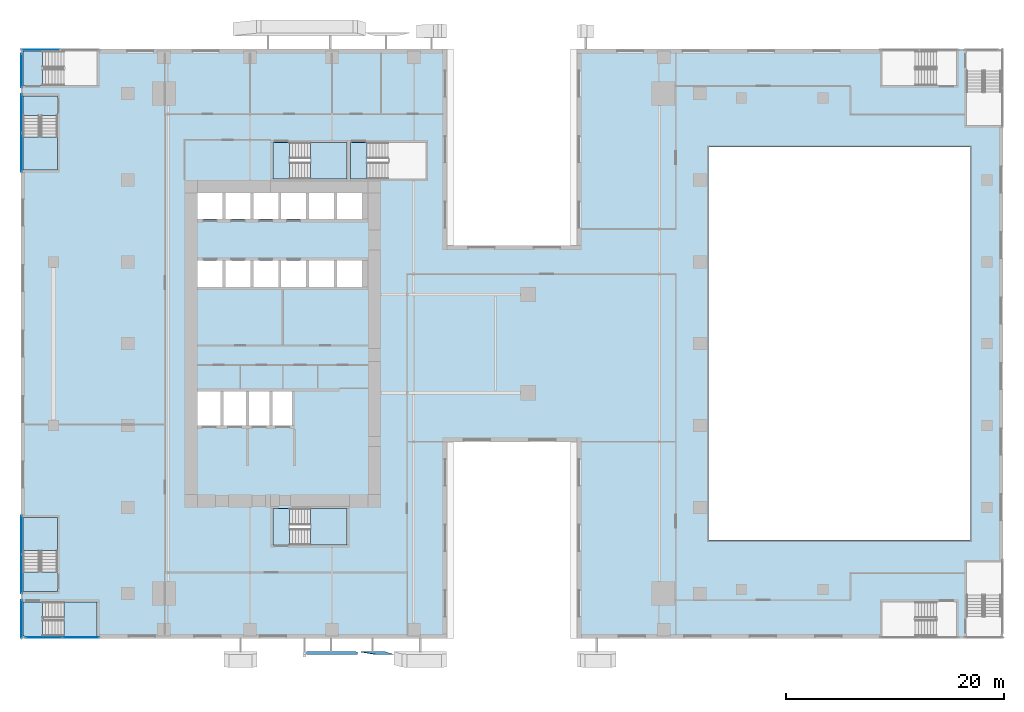
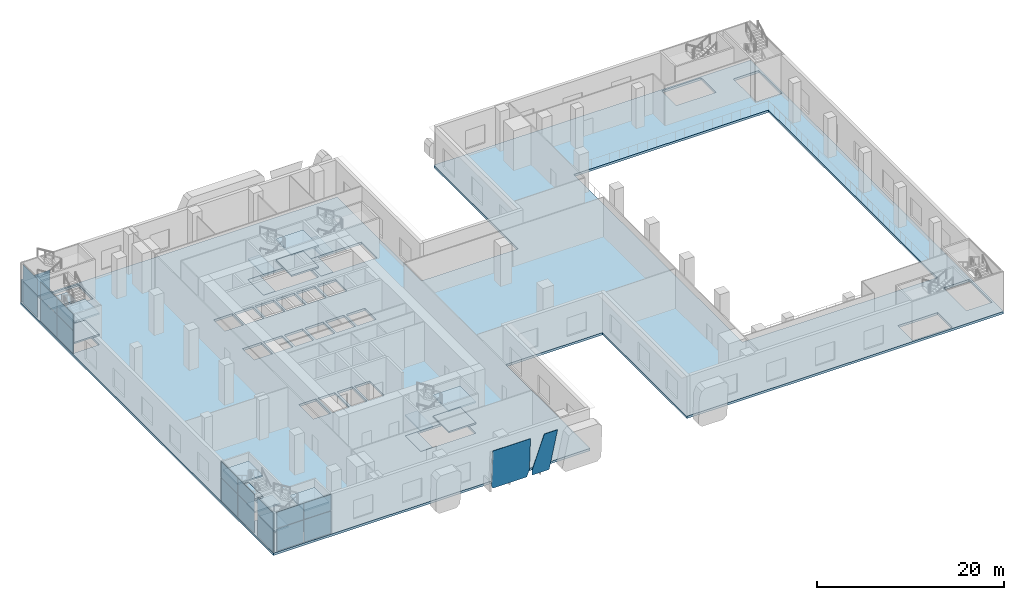
# One storey, part 8 of 23: 21 slabs, 19 plates, 13 elements without a shape of their own.
"""IFC4 building model written with IfcOpenShell, lengths in metres."""

from ifc_helpers import new_model, si_unit, direction, frame, origin, origin_2d, place, context, subcontext, project, spatial, polyline, rectangle, outline, extrude, source, transform, mapped, material, layer, layer_set, type_object, element, aggregate, save


model = new_model("IFC4")

# Units and contexts
model_context = context("Model", 3, precision=1e-05, world=origin(), true_north=direction((0.0, 1.0)))
body_context = subcontext(model_context, "Body", "Model", "MODEL_VIEW")
ifc_project = project(units=[si_unit("LENGTHUNIT", "METRE"), si_unit("AREAUNIT", "SQUARE_METRE"), si_unit("VOLUMEUNIT", "CUBIC_METRE"), si_unit("PLANEANGLEUNIT", "RADIAN"), si_unit("MASSUNIT", "GRAM", prefix="KILO")], contexts=[model_context])

# Site, building, storey
site_placement = place(None, origin())
site = spatial("IfcSite", under=ifc_project, at=site_placement, CompositionType="ELEMENT")
building_placement = place(site_placement, origin())
building = spatial("IfcBuilding", under=site, at=building_placement, Name="Khomas Fold Tower", CompositionType="ELEMENT")
storey_placement = place(building_placement, frame((0.0, 0.0, 13.0)))
storey = spatial("IfcBuildingStorey", under=building, at=storey_placement, Name="L02", CompositionType="ELEMENT", Elevation=13.0)

# Plates
ifc_material_1 = material(Name="Clear laminated glass", Category="glass")
ifc_layer_1 = layer(ifc_material_1, 0.0400390625)
ifc_layer_set_1 = layer_set([ifc_layer_1], Name="Clear laminated glass")
plate_type_1 = type_object("IfcPlateType", Name="SK-Clear laminated glass leaf", PredefinedType="SHEET", material=ifc_layer_set_1)
plate_1_placement = place(storey_placement, frame((24.28173828125, -1.188232421875, 0.0), z_axis=(-4.530982e-06, 0.998629609297, 0.052334533681), x_axis=(-0.99999999999, -4.524772e-06, -2.37127e-07)))
element("IfcPlate", 1, at=plate_1_placement, inside=storey, type_object=plate_type_1, Name="OUTER SKIN glass L02 SG102-1", PredefinedType="SHEET", context=body_context, shape_type="SweptSolid", body=[
    extrude(outline(polyline([(0.0, 0.0), (2.1118164062283227, 0.0), (2.1118164063053295, 0.7040907688939496), (0.7468261718393111, 5.056978540777055), (-0.8923339843938632, 5.056978540777055), (0.0, 0.0)])), origin(), (0.0, 0.0, -1.0), 0.0400390625),
])
plate_2_placement = place(storey_placement, frame((21.830078125, -1.452880859375, 5.050048828125), z_axis=(-9.77769e-06, 0.998629676302, 0.052333254369), x_axis=(6.7e-11, 0.052333254371, -0.99862967635)))
element("IfcPlate", 2, at=plate_2_placement, inside=storey, type_object=plate_type_1, Name="OUTER SKIN glass L02 SG101-3", PredefinedType="SHEET", context=body_context, shape_type="SweptSolid", body=[
    extrude(outline(polyline([(0.0, 0.0), (4.100102351723205, 0.0), (5.05697854076083, 0.3000488284448325), (5.056978540481946, 4.484375000119814), (4.722288105597699, 4.6601562507028635), (-3.1059772951778256e-10, 4.660156249777237), (0.0, 0.0)])), origin(), (0.0, 0.0, -1.0), 0.0400390625),
])

# Slab
ifc_material_2 = material(Name="Concrete C40/50", Category="concrete")
ifc_layer_2 = layer(ifc_material_2, 0.300048828125)
ifc_layer_set_2 = layer_set([ifc_layer_2], Name="Concrete C40/50")
slab_type_1 = type_object("IfcSlabType", Name="RC floor slab 300", PredefinedType="FLOOR", material=ifc_layer_set_2)
shared_shape_1 = source(origin(), body_context, "Body", "SweptSolid", [
    extrude(outline(polyline([(-9.0, 0.0), (30.050048828125, 0.0), (30.050048828125, 18.0), (41.949951171875, 18.0), (41.949951171875, 0.0), (81.0, 0.0), (81.0, 54.0), (41.949951171875, 54.0), (41.949951171875, 36.0), (30.050048828125, 36.0), (30.050048828125, 54.0), (-9.0, 54.0), (-9.0, 0.0)]), holes=[polyline([(-8.800048828125, 6.2099609375), (-8.800048828125, 11.10009765625), (-5.64990234375, 11.10009765625), (-5.64990234375, 6.2099609375), (-8.800048828125, 6.2099609375)]), polyline([(-8.800048828125, 42.89990234375), (-8.800048828125, 47.7900390625), (-5.64990234375, 47.7900390625), (-5.64990234375, 42.89990234375), (-8.800048828125, 42.89990234375)]), polyline([(-6.889892578125, 0.199951171875), (-6.889892578125, 3.35009765625), (-2.0, 3.35009765625), (-2.0, 0.199951171875), (-6.889892578125, 0.199951171875)]), polyline([(-6.889892578125, 50.64990234375), (-6.889892578125, 53.800048828125), (-2.0, 53.800048828125), (-2.0, 50.64990234375), (-6.889892578125, 50.64990234375)]), polyline([(7.199951171875, 19.5), (7.199951171875, 22.60009765625), (9.300048828125, 22.60009765625), (9.300048828125, 19.5), (7.199951171875, 19.5)]), polyline([(7.199951171875, 32.199951171875), (7.199951171875, 34.60009765625), (9.5, 34.60009765625), (9.5, 32.199951171875), (7.199951171875, 32.199951171875)]), polyline([(7.199951171875, 38.39990234375), (7.199951171875, 40.800048828125), (9.5, 40.800048828125), (9.5, 38.39990234375), (7.199951171875, 38.39990234375)]), polyline([(9.550048828125, 19.5), (9.550048828125, 22.60009765625), (11.64990234375, 22.60009765625), (11.64990234375, 19.5), (9.550048828125, 19.5)]), polyline([(9.75, 32.199951171875), (9.75, 34.60009765625), (12.050048828125, 34.60009765625), (12.050048828125, 32.199951171875), (9.75, 32.199951171875)]), polyline([(9.75, 38.39990234375), (9.75, 40.800048828125), (12.050048828125, 40.800048828125), (12.050048828125, 38.39990234375), (9.75, 38.39990234375)]), polyline([(11.89990234375, 19.5), (11.89990234375, 22.60009765625), (13.800048828125, 22.60009765625), (13.800048828125, 19.5), (11.89990234375, 19.5)]), polyline([(12.300048828125, 32.199951171875), (12.300048828125, 34.60009765625), (14.60009765625, 34.60009765625), (14.60009765625, 32.199951171875), (12.300048828125, 32.199951171875)]), polyline([(12.300048828125, 38.39990234375), (12.300048828125, 40.800048828125), (14.60009765625, 40.800048828125), (14.60009765625, 38.39990234375), (12.300048828125, 38.39990234375)]), polyline([(14.050048828125, 19.5), (14.050048828125, 22.60009765625), (15.949951171875, 22.60009765625), (15.949951171875, 19.5), (14.050048828125, 19.5)]), polyline([(14.10009765625, 8.550048828125), (14.10009765625, 11.89990234375), (20.89990234375, 11.89990234375), (20.89990234375, 8.550048828125), (14.10009765625, 8.550048828125)]), polyline([(14.10009765625, 42.10009765625), (14.10009765625, 45.449951171875), (20.89990234375, 45.449951171875), (20.89990234375, 42.10009765625), (14.10009765625, 42.10009765625)]), polyline([(14.85009765625, 32.199951171875), (14.85009765625, 34.60009765625), (17.14990234375, 34.60009765625), (17.14990234375, 32.199951171875), (14.85009765625, 32.199951171875)]), polyline([(14.85009765625, 38.39990234375), (14.85009765625, 40.800048828125), (17.14990234375, 40.800048828125), (17.14990234375, 38.39990234375), (14.85009765625, 38.39990234375)]), polyline([(17.39990234375, 32.199951171875), (17.39990234375, 34.60009765625), (19.699951171875, 34.60009765625), (19.699951171875, 32.199951171875), (17.39990234375, 32.199951171875)]), polyline([(17.39990234375, 38.39990234375), (17.39990234375, 40.800048828125), (19.699951171875, 40.800048828125), (19.699951171875, 38.39990234375), (17.39990234375, 38.39990234375)]), polyline([(19.949951171875, 32.199951171875), (19.949951171875, 34.60009765625), (22.25, 34.60009765625), (22.25, 32.199951171875), (19.949951171875, 32.199951171875)]), polyline([(19.949951171875, 38.39990234375), (19.949951171875, 40.800048828125), (22.25, 40.800048828125), (22.25, 38.39990234375), (19.949951171875, 38.39990234375)]), polyline([(21.199951171875, 42.10009765625), (21.199951171875, 45.449951171875), (28.10009765625, 45.449951171875), (28.10009765625, 42.10009765625), (21.199951171875, 42.10009765625)]), polyline([(54.0, 9.0), (54.0, 45.0), (78.0, 45.0), (78.0, 9.0), (54.0, 9.0)]), polyline([(69.89990234375, 0.199951171875), (69.89990234375, 3.35009765625), (74.7900390625, 3.35009765625), (74.7900390625, 0.199951171875), (69.89990234375, 0.199951171875)]), polyline([(69.89990234375, 50.64990234375), (69.89990234375, 53.800048828125), (74.7900390625, 53.800048828125), (74.7900390625, 50.64990234375), (69.89990234375, 50.64990234375)]), polyline([(77.64990234375, 2.110107421875), (77.64990234375, 7.0), (80.800048828125, 7.0), (80.800048828125, 2.110107421875), (77.64990234375, 2.110107421875)]), polyline([(77.64990234375, 47.0), (77.64990234375, 51.889892578125), (80.800048828125, 51.889892578125), (80.800048828125, 47.0), (77.64990234375, 47.0)])]), origin(), (0.0, 0.0, 1.0), 0.300048828125),
])
slab_1_placement = place(storey_placement, frame((0.0, 0.0, -0.300048828125)))
element("IfcSlab", 3, at=slab_1_placement, inside=storey, type_object=slab_type_1, Name="S-L02", PredefinedType="FLOOR", context=body_context, shape_type="MappedRepresentation", body=[
    mapped(shared_shape_1, transform((0.0, 0.0, 0.0))),
])

# Curtain wall, plates
ifc_material_3 = material(Name="Aluminium framed double glazing", Category="aluminium")
curtain_wall_type = type_object("IfcCurtainWallType", Name="Shopfront glazing PD-CW", PredefinedType="NOTDEFINED", material=ifc_material_3)
curtain_wall_1_placement = place(storey_placement, origin())
curtain_wall_1 = element("IfcCurtainWall", 4, at=curtain_wall_1_placement, inside=storey, type_object=curtain_wall_type, Name="Podium stair-tower glazing", PredefinedType="NOTDEFINED")
ifc_material_4 = material(Name="Double glazed unit")
ifc_layer_3 = layer(ifc_material_4, 0.031982421875)
ifc_layer_set_3 = layer_set([ifc_layer_3], Name="Double glazed unit")
plate_type_2 = type_object("IfcPlateType", Name="Shopfront glazing panel PD-CW-P", PredefinedType="CURTAIN_PANEL", material=ifc_layer_set_3)
shared_shape_2 = source(origin(), body_context, "Body", "SweptSolid", [
    extrude(rectangle(XDim=3.0400390625, YDim=0.031982421875, at=origin_2d()), origin(), (0.0, 0.0, 1.0), 2.909912109375),
])
plate_3_placement = place(storey_placement, frame((-8.919921875, 52.02001953125, 0.06005859375), z_axis=(0.0, 0.0, 1.0), x_axis=(0.0, -1.0, 0.0)))
plate_3 = element("IfcPlate", 5, at=plate_3_placement, type_object=plate_type_2, Name="PD-CW panel 1.1", PredefinedType="CURTAIN_PANEL", context=body_context, shape_type="MappedRepresentation", body=[
    mapped(shared_shape_2, transform((0.0, 0.0, 0.0))),
])
shared_shape_3 = source(origin(), body_context, "Body", "SweptSolid", [
    extrude(rectangle(XDim=3.0400390625, YDim=0.031982421875, at=origin_2d()), origin(), (0.0, 0.0, 1.0), 2.110107421875),
])
plate_4_placement = place(storey_placement, frame((-8.919921875, 52.02001953125, 3.02978515625), z_axis=(0.0, 0.0, 1.0), x_axis=(0.0, -1.0, 0.0)))
plate_4 = element("IfcPlate", 6, at=plate_4_placement, type_object=plate_type_2, Name="PD-CW panel 1.2", PredefinedType="CURTAIN_PANEL", context=body_context, shape_type="MappedRepresentation", body=[
    mapped(shared_shape_3, transform((0.0, 0.0, 0.0))),
])
aggregate(curtain_wall_1, [plate_3, plate_4])

curtain_wall_2_placement = place(storey_placement, origin())
curtain_wall_2 = element("IfcCurtainWall", 7, at=curtain_wall_2_placement, inside=storey, type_object=curtain_wall_type, Name="Podium stair-tower glazing", PredefinedType="NOTDEFINED")
shared_shape_4 = source(origin(), body_context, "Body", "SweptSolid", [
    extrude(rectangle(XDim=3.52001953125, YDim=0.031982421875, at=origin_2d()), origin(), (0.0, 0.0, 1.0), 2.909912109375),
])
plate_5_placement = place(storey_placement, frame((-8.919921875, 48.090087890625, 0.06005859375), z_axis=(0.0, 0.0, 1.0), x_axis=(0.0, -1.0, 0.0)))
plate_5 = element("IfcPlate", 8, at=plate_5_placement, type_object=plate_type_2, Name="PD-CW panel 1.1", PredefinedType="CURTAIN_PANEL", context=body_context, shape_type="MappedRepresentation", body=[
    mapped(shared_shape_4, transform((0.0, 0.0, 0.0))),
])
plate_6_placement = place(storey_placement, frame((-8.919921875, 44.510009765625, 0.06005859375), z_axis=(0.0, 0.0, 1.0), x_axis=(0.0, -1.0, 0.0)))
plate_6 = element("IfcPlate", 9, at=plate_6_placement, type_object=plate_type_2, Name="PD-CW panel 2.1", PredefinedType="CURTAIN_PANEL", context=body_context, shape_type="MappedRepresentation", body=[
    mapped(shared_shape_4, transform((0.0, 0.0, 0.0))),
])

curtain_wall_3_placement = place(storey_placement, origin())
curtain_wall_3 = element("IfcCurtainWall", 10, at=curtain_wall_3_placement, inside=storey, type_object=curtain_wall_type, Name="Podium stair-tower glazing", PredefinedType="NOTDEFINED")
plate_7_placement = place(storey_placement, frame((-8.919921875, 9.489990234375, 0.06005859375), z_axis=(0.0, 0.0, 1.0), x_axis=(0.0, -1.0, 0.0)))
plate_7 = element("IfcPlate", 11, at=plate_7_placement, type_object=plate_type_2, Name="PD-CW panel 1.1", PredefinedType="CURTAIN_PANEL", context=body_context, shape_type="MappedRepresentation", body=[
    mapped(shared_shape_4, transform((0.0, 0.0, 0.0))),
])
plate_8_placement = place(storey_placement, frame((-8.919921875, 5.909912109375, 0.06005859375), z_axis=(0.0, 0.0, 1.0), x_axis=(0.0, -1.0, 0.0)))
plate_8 = element("IfcPlate", 12, at=plate_8_placement, type_object=plate_type_2, Name="PD-CW panel 2.1", PredefinedType="CURTAIN_PANEL", context=body_context, shape_type="MappedRepresentation", body=[
    mapped(shared_shape_4, transform((0.0, 0.0, 0.0))),
])

# Plate
shared_shape_5 = source(origin(), body_context, "Body", "SweptSolid", [
    extrude(rectangle(XDim=3.52001953125, YDim=0.031982421875, at=origin_2d()), origin(), (0.0, 0.0, 1.0), 2.110107421875),
])
plate_9_placement = place(storey_placement, frame((-8.919921875, 48.090087890625, 3.02978515625), z_axis=(0.0, 0.0, 1.0), x_axis=(0.0, -1.0, 0.0)))
plate_9 = element("IfcPlate", 13, at=plate_9_placement, type_object=plate_type_2, Name="PD-CW panel 1.2", PredefinedType="CURTAIN_PANEL", context=body_context, shape_type="MappedRepresentation", body=[
    mapped(shared_shape_5, transform((0.0, 0.0, 0.0))),
])

plate_10_placement = place(storey_placement, frame((-8.919921875, 44.510009765625, 3.02978515625), z_axis=(0.0, 0.0, 1.0), x_axis=(0.0, -1.0, 0.0)))
plate_10 = element("IfcPlate", 14, at=plate_10_placement, type_object=plate_type_2, Name="PD-CW panel 2.2", PredefinedType="CURTAIN_PANEL", context=body_context, shape_type="MappedRepresentation", body=[
    mapped(shared_shape_5, transform((0.0, 0.0, 0.0))),
])

aggregate(curtain_wall_2, [plate_5, plate_9, plate_6, plate_10])

plate_11_placement = place(storey_placement, frame((-8.919921875, 9.489990234375, 3.02978515625), z_axis=(0.0, 0.0, 1.0), x_axis=(0.0, -1.0, 0.0)))
plate_11 = element("IfcPlate", 15, at=plate_11_placement, type_object=plate_type_2, Name="PD-CW panel 1.2", PredefinedType="CURTAIN_PANEL", context=body_context, shape_type="MappedRepresentation", body=[
    mapped(shared_shape_5, transform((0.0, 0.0, 0.0))),
])

plate_12_placement = place(storey_placement, frame((-8.919921875, 5.909912109375, 3.02978515625), z_axis=(0.0, 0.0, 1.0), x_axis=(0.0, -1.0, 0.0)))
plate_12 = element("IfcPlate", 16, at=plate_12_placement, type_object=plate_type_2, Name="PD-CW panel 2.2", PredefinedType="CURTAIN_PANEL", context=body_context, shape_type="MappedRepresentation", body=[
    mapped(shared_shape_5, transform((0.0, 0.0, 0.0))),
])

aggregate(curtain_wall_3, [plate_7, plate_11, plate_8, plate_12])

# Curtain wall, plates
curtain_wall_4_placement = place(storey_placement, origin())
curtain_wall_4 = element("IfcCurtainWall", 17, at=curtain_wall_4_placement, inside=storey, type_object=curtain_wall_type, Name="Podium stair-tower glazing", PredefinedType="NOTDEFINED")
shared_shape_6 = source(origin(), body_context, "Body", "SweptSolid", [
    extrude(rectangle(XDim=3.43994140625, YDim=0.031982421875, at=origin_2d()), origin(), (0.0, 0.0, 1.0), 2.909912109375),
])
plate_13_placement = place(storey_placement, frame((-8.919921875, 1.780029296875, 0.06005859375), z_axis=(0.0, 0.0, 1.0), x_axis=(0.0, -1.0, 0.0)))
plate_13 = element("IfcPlate", 18, at=plate_13_placement, type_object=plate_type_2, Name="PD-CW panel 1.1", PredefinedType="CURTAIN_PANEL", context=body_context, shape_type="MappedRepresentation", body=[
    mapped(shared_shape_6, transform((0.0, 0.0, 0.0))),
])
shared_shape_7 = source(origin(), body_context, "Body", "SweptSolid", [
    extrude(rectangle(XDim=3.43994140625, YDim=0.031982421875, at=origin_2d()), origin(), (0.0, 0.0, 1.0), 2.110107421875),
])
plate_14_placement = place(storey_placement, frame((-8.919921875, 1.780029296875, 3.02978515625), z_axis=(0.0, 0.0, 1.0), x_axis=(0.0, -1.0, 0.0)))
plate_14 = element("IfcPlate", 19, at=plate_14_placement, type_object=plate_type_2, Name="PD-CW panel 1.2", PredefinedType="CURTAIN_PANEL", context=body_context, shape_type="MappedRepresentation", body=[
    mapped(shared_shape_7, transform((0.0, 0.0, 0.0))),
])
aggregate(curtain_wall_4, [plate_13, plate_14])

curtain_wall_5_placement = place(storey_placement, origin())
curtain_wall_5 = element("IfcCurtainWall", 20, at=curtain_wall_5_placement, inside=storey, type_object=curtain_wall_type, Name="Podium stair-tower glazing", PredefinedType="NOTDEFINED")
shared_shape_8 = source(origin(), body_context, "Body", "SweptSolid", [
    extrude(rectangle(XDim=3.31494140625, YDim=0.031982421875, at=origin_2d()), origin(), (0.0, 0.0, 1.0), 2.909912109375),
])
plate_15_placement = place(storey_placement, frame((-6.882568359375, 0.080078125, 0.06005859375), z_axis=(0.0, 0.0, 1.0), x_axis=(1.0, 0.0, 0.0)))
plate_15 = element("IfcPlate", 21, at=plate_15_placement, type_object=plate_type_2, Name="PD-CW panel 1.1", PredefinedType="CURTAIN_PANEL", context=body_context, shape_type="MappedRepresentation", body=[
    mapped(shared_shape_8, transform((0.0, 0.0, 0.0))),
])
plate_16_placement = place(storey_placement, frame((-3.507568359375, 0.080078125, 0.06005859375), z_axis=(0.0, 0.0, 1.0), x_axis=(1.0, 0.0, 0.0)))
plate_16 = element("IfcPlate", 22, at=plate_16_placement, type_object=plate_type_2, Name="PD-CW panel 2.1", PredefinedType="CURTAIN_PANEL", context=body_context, shape_type="MappedRepresentation", body=[
    mapped(shared_shape_8, transform((0.0, 0.0, 0.0))),
])
shared_shape_9 = source(origin(), body_context, "Body", "SweptSolid", [
    extrude(rectangle(XDim=3.31494140625, YDim=0.031982421875, at=origin_2d()), origin(), (0.0, 0.0, 1.0), 2.110107421875),
])
plate_17_placement = place(storey_placement, frame((-6.882568359375, 0.080078125, 3.02978515625), z_axis=(0.0, 0.0, 1.0), x_axis=(1.0, 0.0, 0.0)))
plate_17 = element("IfcPlate", 23, at=plate_17_placement, type_object=plate_type_2, Name="PD-CW panel 1.2", PredefinedType="CURTAIN_PANEL", context=body_context, shape_type="MappedRepresentation", body=[
    mapped(shared_shape_9, transform((0.0, 0.0, 0.0))),
])
plate_18_placement = place(storey_placement, frame((-3.507568359375, 0.080078125, 3.02978515625), z_axis=(0.0, 0.0, 1.0), x_axis=(1.0, 0.0, 0.0)))
plate_18 = element("IfcPlate", 24, at=plate_18_placement, type_object=plate_type_2, Name="PD-CW panel 2.2", PredefinedType="CURTAIN_PANEL", context=body_context, shape_type="MappedRepresentation", body=[
    mapped(shared_shape_9, transform((0.0, 0.0, 0.0))),
])
aggregate(curtain_wall_5, [plate_15, plate_17, plate_16, plate_18])

# Curtain wall, plate
curtain_wall_6_placement = place(storey_placement, origin())
curtain_wall_6 = element("IfcCurtainWall", 25, at=curtain_wall_6_placement, inside=storey, type_object=curtain_wall_type, Name="Podium stair-tower glazing", PredefinedType="NOTDEFINED")
shared_shape_10 = source(origin(), body_context, "Body", "SweptSolid", [
    extrude(rectangle(XDim=3.514892578125, YDim=0.031982421875, at=origin_2d()), origin(), (0.0, 0.0, 1.0), 2.909912109375),
])
plate_19_placement = place(storey_placement, frame((-7.1826171875, 53.919921875, 0.06005859375), z_axis=(0.0, 0.0, 1.0), x_axis=(-1.0, 0.0, 0.0)))
plate_19 = element("IfcPlate", 26, at=plate_19_placement, type_object=plate_type_2, Name="PD-CW panel 2.1", PredefinedType="CURTAIN_PANEL", context=body_context, shape_type="MappedRepresentation", body=[
    mapped(shared_shape_10, transform((0.0, 0.0, 0.0))),
])
aggregate(curtain_wall_6, [plate_19])

# Stair, slabs
ifc_material_5 = material(Name="Concrete C40/50", Category="concrete")
stair_type_1 = type_object("IfcStairType", Name="Stair ST1", PredefinedType="HALF_TURN_STAIR", material=ifc_material_5)
stair_1_placement = place(storey_placement, origin())
stair_1 = element("IfcStair", 27, at=stair_1_placement, inside=storey, type_object=stair_type_1, Name="L02 ST1", PredefinedType="HALF_TURN_STAIR")
ifc_material_6 = material(Name="Concrete C40/50", Category="concrete")
ifc_layer_4 = layer(ifc_material_6, 0.199951171875)
ifc_layer_set_4 = layer_set([ifc_layer_4], Name="Concrete C40/50")
slab_type_2 = type_object("IfcSlabType", Name="Stair landing 200", PredefinedType="LANDING", material=ifc_layer_set_4)
shared_shape_11 = source(origin(), body_context, "Body", "SweptSolid", [
    extrude(outline(polyline([(14.10009765625, 42.10009765625), (15.60009765625, 42.10009765625), (15.60009765625, 45.449951171875), (14.10009765625, 45.449951171875), (14.10009765625, 42.10009765625)])), origin(), (0.0, 0.0, 1.0), 0.199951171875),
])
slab_2_placement = place(storey_placement, frame((0.0, 0.0, 2.550048828125)))
slab_2 = element("IfcSlab", 28, at=slab_2_placement, type_object=slab_type_2, Name="ST1 landing 2", PredefinedType="LANDING", context=body_context, shape_type="MappedRepresentation", body=[
    mapped(shared_shape_11, transform((0.0, 0.0, 0.0))),
])
shared_shape_12 = source(origin(), body_context, "Body", "SweptSolid", [
    extrude(outline(polyline([(17.56005859375, 42.10009765625), (20.89990234375, 42.10009765625), (20.89990234375, 45.449951171875), (17.56005859375, 45.449951171875), (17.56005859375, 42.10009765625)])), origin(), (0.0, 0.0, 1.0), 0.199951171875),
])
slab_3_placement = place(storey_placement, frame((0.0, 0.0, 1.175048828125)))
slab_3 = element("IfcSlab", 29, at=slab_3_placement, type_object=slab_type_2, Name="ST1 landing 1", PredefinedType="LANDING", context=body_context, shape_type="MappedRepresentation", body=[
    mapped(shared_shape_12, transform((0.0, 0.0, 0.0))),
])
slab_4_placement = place(storey_placement, frame((0.0, 0.0, 3.925048828125)))
slab_4 = element("IfcSlab", 30, at=slab_4_placement, type_object=slab_type_2, Name="ST1 landing 3", PredefinedType="LANDING", context=body_context, shape_type="MappedRepresentation", body=[
    mapped(shared_shape_12, transform((0.0, 0.0, 0.0))),
])
aggregate(stair_1, [slab_3, slab_2, slab_4])

# Slab
ifc_material_7 = material(Name="Concrete C40/50", Category="concrete")
ifc_layer_5 = layer(ifc_material_7, 0.300048828125)
ifc_layer_set_5 = layer_set([ifc_layer_5], Name="Concrete C40/50")
slab_type_3 = type_object("IfcSlabType", Name="Stair floor landing 300", PredefinedType="LANDING", material=ifc_layer_set_5)
shared_shape_13 = source(origin(), body_context, "Body", "SweptSolid", [
    extrude(outline(polyline([(14.10009765625, 45.449951171875), (15.60009765625, 45.449951171875), (15.60009765625, 42.10009765625), (14.10009765625, 42.10009765625), (14.10009765625, 45.449951171875)])), origin(), (0.0, 0.0, 1.0), 0.300048828125),
])
slab_5_placement = place(storey_placement, frame((0.0, 0.0, -0.300048828125)))
element("IfcSlab", 31, at=slab_5_placement, inside=storey, type_object=slab_type_3, Name="ST1 floor landing", PredefinedType="LANDING", context=body_context, shape_type="MappedRepresentation", body=[
    mapped(shared_shape_13, transform((0.0, 0.0, 0.0))),
])

# Stair, slabs
ifc_material_8 = material(Name="Concrete C40/50", Category="concrete")
stair_type_2 = type_object("IfcStairType", Name="Stair ST2", PredefinedType="HALF_TURN_STAIR", material=ifc_material_8)
stair_2_placement = place(storey_placement, origin())
stair_2 = element("IfcStair", 32, at=stair_2_placement, inside=storey, type_object=stair_type_2, Name="L02 ST2", PredefinedType="HALF_TURN_STAIR")
shared_shape_14 = source(origin(), body_context, "Body", "SweptSolid", [
    extrude(outline(polyline([(14.10009765625, 8.550048828125), (15.60009765625, 8.550048828125), (15.60009765625, 11.89990234375), (14.10009765625, 11.89990234375), (14.10009765625, 8.550048828125)])), origin(), (0.0, 0.0, 1.0), 0.199951171875),
])
slab_6_placement = place(storey_placement, frame((0.0, 0.0, 2.550048828125)))
slab_6 = element("IfcSlab", 33, at=slab_6_placement, type_object=slab_type_2, Name="ST2 landing 2", PredefinedType="LANDING", context=body_context, shape_type="MappedRepresentation", body=[
    mapped(shared_shape_14, transform((0.0, 0.0, 0.0))),
])
shared_shape_15 = source(origin(), body_context, "Body", "SweptSolid", [
    extrude(outline(polyline([(17.56005859375, 8.550048828125), (20.89990234375, 8.550048828125), (20.89990234375, 11.89990234375), (17.56005859375, 11.89990234375), (17.56005859375, 8.550048828125)])), origin(), (0.0, 0.0, 1.0), 0.199951171875),
])
slab_7_placement = place(storey_placement, frame((0.0, 0.0, 1.175048828125)))
slab_7 = element("IfcSlab", 34, at=slab_7_placement, type_object=slab_type_2, Name="ST2 landing 1", PredefinedType="LANDING", context=body_context, shape_type="MappedRepresentation", body=[
    mapped(shared_shape_15, transform((0.0, 0.0, 0.0))),
])
slab_8_placement = place(storey_placement, frame((0.0, 0.0, 3.925048828125)))
slab_8 = element("IfcSlab", 35, at=slab_8_placement, type_object=slab_type_2, Name="ST2 landing 3", PredefinedType="LANDING", context=body_context, shape_type="MappedRepresentation", body=[
    mapped(shared_shape_15, transform((0.0, 0.0, 0.0))),
])
aggregate(stair_2, [slab_7, slab_6, slab_8])

# Slab
shared_shape_16 = source(origin(), body_context, "Body", "SweptSolid", [
    extrude(outline(polyline([(14.10009765625, 11.89990234375), (15.60009765625, 11.89990234375), (15.60009765625, 8.550048828125), (14.10009765625, 8.550048828125), (14.10009765625, 11.89990234375)])), origin(), (0.0, 0.0, 1.0), 0.300048828125),
])
slab_9_placement = place(storey_placement, frame((0.0, 0.0, -0.300048828125)))
element("IfcSlab", 36, at=slab_9_placement, inside=storey, type_object=slab_type_3, Name="ST2 floor landing", PredefinedType="LANDING", context=body_context, shape_type="MappedRepresentation", body=[
    mapped(shared_shape_16, transform((0.0, 0.0, 0.0))),
])

# Stair, slab
ifc_material_9 = material(Name="Concrete C40/50", Category="concrete")
stair_type_3 = type_object("IfcStairType", Name="Stair ST3", PredefinedType="HALF_TURN_STAIR", material=ifc_material_9)
stair_3_placement = place(storey_placement, origin())
stair_3 = element("IfcStair", 37, at=stair_3_placement, inside=storey, type_object=stair_type_3, Name="L02 ST3", PredefinedType="HALF_TURN_STAIR")
shared_shape_17 = source(origin(), body_context, "Body", "SweptSolid", [
    extrude(outline(polyline([(21.199951171875, 42.10009765625), (22.699951171875, 42.10009765625), (22.699951171875, 45.449951171875), (21.199951171875, 45.449951171875), (21.199951171875, 42.10009765625)])), origin(), (0.0, 0.0, 1.0), 0.199951171875),
])
slab_10_placement = place(storey_placement, frame((0.0, 0.0, 2.550048828125)))
slab_10 = element("IfcSlab", 38, at=slab_10_placement, type_object=slab_type_2, Name="ST3 landing 2", PredefinedType="LANDING", context=body_context, shape_type="MappedRepresentation", body=[
    mapped(shared_shape_17, transform((0.0, 0.0, 0.0))),
])
aggregate(stair_3, [slab_10])

# Slab
shared_shape_18 = source(origin(), body_context, "Body", "SweptSolid", [
    extrude(outline(polyline([(21.199951171875, 45.449951171875), (22.699951171875, 45.449951171875), (22.699951171875, 42.10009765625), (21.199951171875, 42.10009765625), (21.199951171875, 45.449951171875)])), origin(), (0.0, 0.0, 1.0), 0.300048828125),
])
slab_11_placement = place(storey_placement, frame((0.0, 0.0, -0.300048828125)))
element("IfcSlab", 39, at=slab_11_placement, inside=storey, type_object=slab_type_3, Name="ST3 floor landing", PredefinedType="LANDING", context=body_context, shape_type="MappedRepresentation", body=[
    mapped(shared_shape_18, transform((0.0, 0.0, 0.0))),
])

# Stair, slabs
ifc_material_10 = material(Name="Concrete C40/50", Category="concrete")
stair_type_4 = type_object("IfcStairType", Name="Stair PS1", PredefinedType="HALF_TURN_STAIR", material=ifc_material_10)
stair_4_placement = place(storey_placement, origin())
stair_4 = element("IfcStair", 40, at=stair_4_placement, inside=storey, type_object=stair_type_4, Name="L02 PS1", PredefinedType="HALF_TURN_STAIR")
shared_shape_19 = source(origin(), body_context, "Body", "SweptSolid", [
    extrude(outline(polyline([(-8.800048828125, 0.199951171875), (-7.0, 0.199951171875), (-7.0, 3.35009765625), (-8.800048828125, 3.35009765625), (-8.800048828125, 0.199951171875)])), origin(), (0.0, 0.0, 1.0), 0.199951171875),
])
slab_12_placement = place(storey_placement, frame((0.0, 0.0, 2.550048828125)))
slab_12 = element("IfcSlab", 41, at=slab_12_placement, type_object=slab_type_2, Name="PS1 landing 2", PredefinedType="LANDING", context=body_context, shape_type="MappedRepresentation", body=[
    mapped(shared_shape_19, transform((0.0, 0.0, 0.0))),
])
shared_shape_20 = source(origin(), body_context, "Body", "SweptSolid", [
    extrude(outline(polyline([(-5.0400390625, 0.199951171875), (-2.0, 0.199951171875), (-2.0, 3.35009765625), (-5.0400390625, 3.35009765625), (-5.0400390625, 0.199951171875)])), origin(), (0.0, 0.0, 1.0), 0.199951171875),
])
slab_13_placement = place(storey_placement, frame((0.0, 0.0, 1.175048828125)))
slab_13 = element("IfcSlab", 42, at=slab_13_placement, type_object=slab_type_2, Name="PS1 landing 1", PredefinedType="LANDING", context=body_context, shape_type="MappedRepresentation", body=[
    mapped(shared_shape_20, transform((0.0, 0.0, 0.0))),
])
slab_14_placement = place(storey_placement, frame((0.0, 0.0, 3.925048828125)))
slab_14 = element("IfcSlab", 43, at=slab_14_placement, type_object=slab_type_2, Name="PS1 landing 3", PredefinedType="LANDING", context=body_context, shape_type="MappedRepresentation", body=[
    mapped(shared_shape_20, transform((0.0, 0.0, 0.0))),
])
aggregate(stair_4, [slab_13, slab_12, slab_14])

ifc_material_11 = material(Name="Concrete C40/50", Category="concrete")
stair_type_5 = type_object("IfcStairType", Name="Stair PS2", PredefinedType="HALF_TURN_STAIR", material=ifc_material_11)
stair_5_placement = place(storey_placement, origin())
stair_5 = element("IfcStair", 44, at=stair_5_placement, inside=storey, type_object=stair_type_5, Name="L02 PS2", PredefinedType="HALF_TURN_STAIR")
shared_shape_21 = source(origin(), body_context, "Body", "SweptSolid", [
    extrude(outline(polyline([(-5.64990234375, 4.300048828125), (-5.64990234375, 6.10009765625), (-8.800048828125, 6.10009765625), (-8.800048828125, 4.300048828125), (-5.64990234375, 4.300048828125)])), origin(), (0.0, 0.0, 1.0), 0.199951171875),
])
slab_15_placement = place(storey_placement, frame((0.0, 0.0, 2.550048828125)))
slab_15 = element("IfcSlab", 45, at=slab_15_placement, type_object=slab_type_2, Name="PS2 landing 2", PredefinedType="LANDING", context=body_context, shape_type="MappedRepresentation", body=[
    mapped(shared_shape_21, transform((0.0, 0.0, 0.0))),
])
shared_shape_22 = source(origin(), body_context, "Body", "SweptSolid", [
    extrude(outline(polyline([(-5.64990234375, 8.06005859375), (-5.64990234375, 11.10009765625), (-8.800048828125, 11.10009765625), (-8.800048828125, 8.06005859375), (-5.64990234375, 8.06005859375)])), origin(), (0.0, 0.0, 1.0), 0.199951171875),
])
slab_16_placement = place(storey_placement, frame((0.0, 0.0, 1.175048828125)))
slab_16 = element("IfcSlab", 46, at=slab_16_placement, type_object=slab_type_2, Name="PS2 landing 1", PredefinedType="LANDING", context=body_context, shape_type="MappedRepresentation", body=[
    mapped(shared_shape_22, transform((0.0, 0.0, 0.0))),
])
slab_17_placement = place(storey_placement, frame((0.0, 0.0, 3.925048828125)))
slab_17 = element("IfcSlab", 47, at=slab_17_placement, type_object=slab_type_2, Name="PS2 landing 3", PredefinedType="LANDING", context=body_context, shape_type="MappedRepresentation", body=[
    mapped(shared_shape_22, transform((0.0, 0.0, 0.0))),
])
aggregate(stair_5, [slab_16, slab_15, slab_17])

# Stair, slab
ifc_material_12 = material(Name="Concrete C40/50", Category="concrete")
stair_type_6 = type_object("IfcStairType", Name="Stair PS7", PredefinedType="HALF_TURN_STAIR", material=ifc_material_12)
stair_6_placement = place(storey_placement, origin())
stair_6 = element("IfcStair", 48, at=stair_6_placement, inside=storey, type_object=stair_type_6, Name="L02 PS7", PredefinedType="HALF_TURN_STAIR")
shared_shape_23 = source(origin(), body_context, "Body", "SweptSolid", [
    extrude(outline(polyline([(-8.800048828125, 50.64990234375), (-7.0, 50.64990234375), (-7.0, 53.800048828125), (-8.800048828125, 53.800048828125), (-8.800048828125, 50.64990234375)])), origin(), (0.0, 0.0, 1.0), 0.199951171875),
])
slab_18_placement = place(storey_placement, frame((0.0, 0.0, 2.550048828125)))
slab_18 = element("IfcSlab", 49, at=slab_18_placement, type_object=slab_type_2, Name="PS7 landing 2", PredefinedType="LANDING", context=body_context, shape_type="MappedRepresentation", body=[
    mapped(shared_shape_23, transform((0.0, 0.0, 0.0))),
])
aggregate(stair_6, [slab_18])

# Stair, slabs
ifc_material_13 = material(Name="Concrete C40/50", Category="concrete")
stair_type_7 = type_object("IfcStairType", Name="Stair PS8", PredefinedType="HALF_TURN_STAIR", material=ifc_material_13)
stair_7_placement = place(storey_placement, origin())
stair_7 = element("IfcStair", 50, at=stair_7_placement, inside=storey, type_object=stair_type_7, Name="L02 PS8", PredefinedType="HALF_TURN_STAIR")
shared_shape_24 = source(origin(), body_context, "Body", "SweptSolid", [
    extrude(outline(polyline([(-8.800048828125, 49.699951171875), (-8.800048828125, 47.89990234375), (-5.64990234375, 47.89990234375), (-5.64990234375, 49.699951171875), (-8.800048828125, 49.699951171875)])), origin(), (0.0, 0.0, 1.0), 0.199951171875),
])
slab_19_placement = place(storey_placement, frame((0.0, 0.0, 2.550048828125)))
slab_19 = element("IfcSlab", 51, at=slab_19_placement, type_object=slab_type_2, Name="PS8 landing 2", PredefinedType="LANDING", context=body_context, shape_type="MappedRepresentation", body=[
    mapped(shared_shape_24, transform((0.0, 0.0, 0.0))),
])
shared_shape_25 = source(origin(), body_context, "Body", "SweptSolid", [
    extrude(outline(polyline([(-8.800048828125, 45.93994140625), (-8.800048828125, 42.89990234375), (-5.64990234375, 42.89990234375), (-5.64990234375, 45.93994140625), (-8.800048828125, 45.93994140625)])), origin(), (0.0, 0.0, 1.0), 0.199951171875),
])
slab_20_placement = place(storey_placement, frame((0.0, 0.0, 1.175048828125)))
slab_20 = element("IfcSlab", 52, at=slab_20_placement, type_object=slab_type_2, Name="PS8 landing 1", PredefinedType="LANDING", context=body_context, shape_type="MappedRepresentation", body=[
    mapped(shared_shape_25, transform((0.0, 0.0, 0.0))),
])
slab_21_placement = place(storey_placement, frame((0.0, 0.0, 3.925048828125)))
slab_21 = element("IfcSlab", 53, at=slab_21_placement, type_object=slab_type_2, Name="PS8 landing 3", PredefinedType="LANDING", context=body_context, shape_type="MappedRepresentation", body=[
    mapped(shared_shape_25, transform((0.0, 0.0, 0.0))),
])
aggregate(stair_7, [slab_20, slab_19, slab_21])

save(model, "model.ifc")
